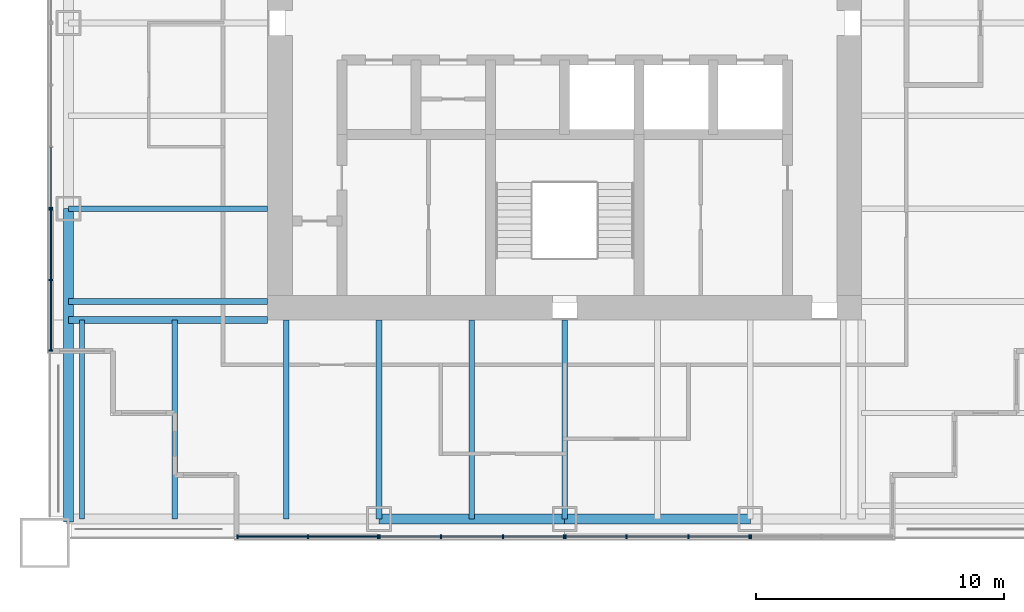
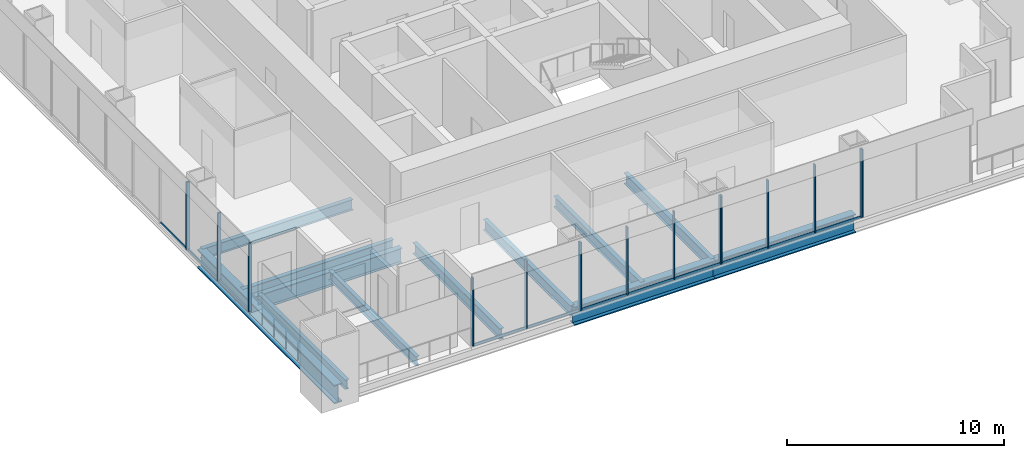
# One storey, part 2 of 14: 27 members, 12 beams, 6 elements without a shape of their own.
"""IFC4 building model written with IfcOpenShell, lengths in metres."""

from ifc_helpers import new_model, si_unit, direction, frame, origin, origin_2d, place, context, subcontext, project, spatial, rectangle, i_section, extrude, material, material_profile, profile_set, type_object, element, aggregate, save


model = new_model("IFC4")

# Units and contexts
model_context = context("Model", 3, precision=1e-05, world=origin(), true_north=direction((0.0, 1.0)))
body_context = subcontext(model_context, "Body", "Model", "MODEL_VIEW")
ifc_project = project(units=[si_unit("LENGTHUNIT", "METRE"), si_unit("AREAUNIT", "SQUARE_METRE"), si_unit("VOLUMEUNIT", "CUBIC_METRE"), si_unit("PLANEANGLEUNIT", "RADIAN"), si_unit("MASSUNIT", "GRAM", prefix="KILO")], contexts=[model_context])

# Site, building, storey
site_placement = place(None, origin())
site = spatial("IfcSite", under=ifc_project, at=site_placement, CompositionType="ELEMENT")
building_placement = place(site_placement, origin())
building = spatial("IfcBuilding", under=site, at=building_placement, Name="Tarangal Relay Tower", CompositionType="ELEMENT")
storey_placement = place(building_placement, frame((0.0, 0.0, 267.89990234375)))
storey = spatial("IfcBuildingStorey", under=building, at=storey_placement, Name="L58", CompositionType="ELEMENT", Elevation=267.89990234375)

# Beams
ifc_material_1 = material(Name="Steel ASTM A992", Category="steel")
ifc_material_profile_1 = material_profile(ifc_material_1, i_section(OverallWidth=0.209228515625, OverallDepth=0.533447265625, WebThickness=0.01025390625, FlangeThickness=0.015625, at=origin_2d()), Name="W21X62")
ifc_profile_set_1 = profile_set([ifc_material_profile_1], Name="Steel ASTM A992")
beam_type_1 = type_object("IfcBeamType", Name="Corner beam W21X62", PredefinedType="JOIST", material=ifc_profile_set_1)
for number, where, z_axis, x_axis, name in (
    (1, (-15.75, -12.0, -0.41650390625), (0.0, -1.0, 0.0), (1.0, 0.0, 0.0), "Corner beam CB12 S L58"),
    (2, (-19.5, -12.0, -0.41650390625), (0.0, -1.0, 0.0), (1.0, 0.0, 0.0), "Corner beam CB12 S L58"),
):
    element("IfcBeam", number, at=place(storey_placement, frame(where, z_axis=z_axis, x_axis=x_axis)), inside=storey, type_object=beam_type_1, Name=name, PredefinedType="JOIST", context=body_context, shape_type="SweptSolid", body=[
        extrude(i_section(OverallWidth=0.209228515625, OverallDepth=0.533447265625, WebThickness=0.01025390625, FlangeThickness=0.015625, at=origin_2d()), origin(), (0.0, 0.0, 1.0), 8.0400390625),
    ])
ifc_material_profile_2 = material_profile(ifc_material_1, i_section(OverallWidth=0.2919921875, OverallDepth=0.8408203125, WebThickness=0.0146484375, FlangeThickness=0.021728515625, at=origin_2d()), Name="W33X130")
ifc_profile_set_2 = profile_set([ifc_material_profile_2], Name="Steel ASTM A992")
beam_type_2 = type_object("IfcBeamType", Name="Corner girder W33X130", PredefinedType="BEAM", material=ifc_profile_set_2)
beam_1_placement = place(storey_placement, frame((-12.0, -12.0, -0.5703125), z_axis=(-1.0, 0.0, 0.0), x_axis=(0.0, -1.0, 0.0)))
element("IfcBeam", 3, at=beam_1_placement, inside=storey, type_object=beam_type_2, Name="Corner girder CG5 S L58", PredefinedType="BEAM", context=body_context, shape_type="SweptSolid", body=[
    extrude(i_section(OverallWidth=0.2919921875, OverallDepth=0.8408203125, WebThickness=0.0146484375, FlangeThickness=0.021728515625, at=origin_2d()), origin(), (0.0, 0.0, 1.0), 8.0400390625),
])
ifc_material_profile_3 = material_profile(ifc_material_1, i_section(OverallWidth=0.41162109375, OverallDepth=1.049072265625, WebThickness=0.033935546875, FlangeThickness=0.059814453125, at=origin_2d()), Name="W40X431")
ifc_profile_set_3 = profile_set([ifc_material_profile_3], Name="Steel ASTM A992")
beam_type_3 = type_object("IfcBeamType", Name="Edge girder W40X431", PredefinedType="SPANDREL", material=ifc_profile_set_3)
for number, where, z_axis, x_axis, name in (
    (4, (7.5, -20.0400390625, -0.67431640625), (-1.0, 0.0, 0.0), (0.0, -1.0, 0.0), "Edge girder EG1 S L58"),
    (5, (0.0, -20.0400390625, -0.67431640625), (-1.0, 0.0, 0.0), (0.0, -1.0, 0.0), "Edge girder EG1 S L58"),
):
    element("IfcBeam", number, at=place(storey_placement, frame(where, z_axis=z_axis, x_axis=x_axis)), inside=storey, type_object=beam_type_3, Name=name, PredefinedType="SPANDREL", context=body_context, shape_type="SweptSolid", body=[
        extrude(i_section(OverallWidth=0.41162109375, OverallDepth=1.049072265625, WebThickness=0.033935546875, FlangeThickness=0.059814453125, at=origin_2d()), origin(), (0.0, 0.0, 1.0), 7.5),
    ])
beam_2_placement = place(storey_placement, frame((-20.0400390625, -20.14990234375, -0.67431640625), z_axis=(0.0, 1.0, 0.0), x_axis=(-1.0, 0.0, 0.0)))
element("IfcBeam", 6, at=beam_2_placement, inside=storey, type_object=beam_type_3, Name="Edge girder EG1 W L58", PredefinedType="SPANDREL", context=body_context, shape_type="SweptSolid", body=[
    extrude(i_section(OverallWidth=0.41162109375, OverallDepth=1.049072265625, WebThickness=0.033935546875, FlangeThickness=0.059814453125, at=origin_2d()), origin(), (0.0, 0.0, 1.0), 12.64990234375),
])
ifc_material_profile_4 = material_profile(ifc_material_1, i_section(OverallWidth=0.228271484375, OverallDepth=0.607177734375, WebThickness=0.01123046875, FlangeThickness=0.017333984375, at=origin_2d()), Name="W24X76")
ifc_profile_set_4 = profile_set([ifc_material_profile_4], Name="Steel ASTM A992")
beam_type_4 = type_object("IfcBeamType", Name="Floor beam W24X76", PredefinedType="BEAM", material=ifc_profile_set_4)
for number, where, z_axis, x_axis, name in (
    (7, (0.0, -12.0, -0.453369140625), (0.0, -1.0, 0.0), (1.0, 0.0, 0.0), "Floor beam RB5 S L58"),
    (8, (-3.75, -12.0, -0.453369140625), (0.0, -1.0, 0.0), (1.0, 0.0, 0.0), "Floor beam RB5 S L58"),
    (9, (-7.5, -12.0, -0.453369140625), (0.0, -1.0, 0.0), (1.0, 0.0, 0.0), "Floor beam RB5 S L58"),
    (10, (-11.25, -12.0, -0.453369140625), (0.0, -1.0, 0.0), (1.0, 0.0, 0.0), "Floor beam RB5 S L58"),
    (11, (-12.0, -11.25, -0.453369140625), (-1.0, 0.0, 0.0), (0.0, -1.0, 0.0), "Floor beam RB5 W L58"),
    (12, (-12.0, -7.5, -0.453369140625), (-1.0, 0.0, 0.0), (0.0, -1.0, 0.0), "Floor beam RB5 W L58"),
):
    element("IfcBeam", number, at=place(storey_placement, frame(where, z_axis=z_axis, x_axis=x_axis)), inside=storey, type_object=beam_type_4, Name=name, PredefinedType="BEAM", context=body_context, shape_type="SweptSolid", body=[
        extrude(i_section(OverallWidth=0.228271484375, OverallDepth=0.607177734375, WebThickness=0.01123046875, FlangeThickness=0.017333984375, at=origin_2d()), origin(), (0.0, 0.0, 1.0), 8.0400390625),
    ])

# Curtain wall, members
ifc_material_2 = material(Name="Unitised curtain wall, dark glass and black aluminium", Category="aluminium")
curtain_wall_type_1 = type_object("IfcCurtainWallType", Name="Curtain wall CW-B", PredefinedType="USERDEFINED", material=ifc_material_2)
curtain_wall_1_placement = place(storey_placement, origin())
curtain_wall_1 = element("IfcCurtainWall", 13, at=curtain_wall_1_placement, inside=storey, type_object=curtain_wall_type_1, Name="Curtain wall CW-B S facade L58", ObjectType="UNITISED CURTAIN WALL", PredefinedType="USERDEFINED")
ifc_material_3 = material(Name="Black anodised aluminium mullion", Category="aluminium")
ifc_material_profile_5 = material_profile(ifc_material_3, rectangle(XDim=0.159912109375, YDim=0.06005859375, at=origin_2d()), Name="CW-BM 60X160")
ifc_profile_set_5 = profile_set([ifc_material_profile_5], Name="Black anodised aluminium mullion")
member_type_1 = type_object("IfcMemberType", Name="Mullion CW-B 60 x 160", PredefinedType="MULLION", material=ifc_profile_set_5)
member_1_placement = place(storey_placement, frame((7.469970703125, -20.75, 0.0), z_axis=(0.0, 0.0, 1.0), x_axis=(0.0, -1.0, 0.0)))
member_1 = element("IfcMember", 14, at=member_1_placement, type_object=member_type_1, Name="CW-B mullion 1", PredefinedType="MULLION", context=body_context, shape_type="SweptSolid", body=[
    extrude(rectangle(XDim=0.159912109375, YDim=0.06005859375, at=origin_2d()), origin(), (0.0, 0.0, 1.0), 3.85009765625),
])
member_2_placement = place(storey_placement, frame((5.0, -20.75, 0.0), z_axis=(0.0, 0.0, 1.0), x_axis=(0.0, -1.0, 0.0)))
member_2 = element("IfcMember", 15, at=member_2_placement, type_object=member_type_1, Name="CW-B mullion 2", PredefinedType="MULLION", context=body_context, shape_type="SweptSolid", body=[
    extrude(rectangle(XDim=0.159912109375, YDim=0.06005859375, at=origin_2d()), origin(), (0.0, 0.0, 1.0), 3.85009765625),
])
member_3_placement = place(storey_placement, frame((2.5, -20.75, 0.0), z_axis=(0.0, 0.0, 1.0), x_axis=(0.0, -1.0, 0.0)))
member_3 = element("IfcMember", 16, at=member_3_placement, type_object=member_type_1, Name="CW-B mullion 3", PredefinedType="MULLION", context=body_context, shape_type="SweptSolid", body=[
    extrude(rectangle(XDim=0.159912109375, YDim=0.06005859375, at=origin_2d()), origin(), (0.0, 0.0, 1.0), 3.85009765625),
])
member_4_placement = place(storey_placement, frame((0.030029296875, -20.75, 0.0), z_axis=(0.0, 0.0, 1.0), x_axis=(0.0, -1.0, 0.0)))
member_4 = element("IfcMember", 17, at=member_4_placement, type_object=member_type_1, Name="CW-B mullion 4", PredefinedType="MULLION", context=body_context, shape_type="SweptSolid", body=[
    extrude(rectangle(XDim=0.159912109375, YDim=0.06005859375, at=origin_2d()), origin(), (0.0, 0.0, 1.0), 3.85009765625),
])

curtain_wall_2_placement = place(storey_placement, origin())
curtain_wall_2 = element("IfcCurtainWall", 18, at=curtain_wall_2_placement, inside=storey, type_object=curtain_wall_type_1, Name="Curtain wall CW-B S facade L58", ObjectType="UNITISED CURTAIN WALL", PredefinedType="USERDEFINED")
member_5_placement = place(storey_placement, frame((-0.030029296875, -20.75, 0.0), z_axis=(0.0, 0.0, 1.0), x_axis=(0.0, -1.0, 0.0)))
member_5 = element("IfcMember", 19, at=member_5_placement, type_object=member_type_1, Name="CW-B mullion 1", PredefinedType="MULLION", context=body_context, shape_type="SweptSolid", body=[
    extrude(rectangle(XDim=0.159912109375, YDim=0.06005859375, at=origin_2d()), origin(), (0.0, 0.0, 1.0), 3.85009765625),
])
member_6_placement = place(storey_placement, frame((-2.5, -20.75, 0.0), z_axis=(0.0, 0.0, 1.0), x_axis=(0.0, -1.0, 0.0)))
member_6 = element("IfcMember", 20, at=member_6_placement, type_object=member_type_1, Name="CW-B mullion 2", PredefinedType="MULLION", context=body_context, shape_type="SweptSolid", body=[
    extrude(rectangle(XDim=0.159912109375, YDim=0.06005859375, at=origin_2d()), origin(), (0.0, 0.0, 1.0), 3.85009765625),
])
member_7_placement = place(storey_placement, frame((-5.0, -20.75, 0.0), z_axis=(0.0, 0.0, 1.0), x_axis=(0.0, -1.0, 0.0)))
member_7 = element("IfcMember", 21, at=member_7_placement, type_object=member_type_1, Name="CW-B mullion 3", PredefinedType="MULLION", context=body_context, shape_type="SweptSolid", body=[
    extrude(rectangle(XDim=0.159912109375, YDim=0.06005859375, at=origin_2d()), origin(), (0.0, 0.0, 1.0), 3.85009765625),
])
member_8_placement = place(storey_placement, frame((-7.469970703125, -20.75, 0.0), z_axis=(0.0, 0.0, 1.0), x_axis=(0.0, -1.0, 0.0)))
member_8 = element("IfcMember", 22, at=member_8_placement, type_object=member_type_1, Name="CW-B mullion 4", PredefinedType="MULLION", context=body_context, shape_type="SweptSolid", body=[
    extrude(rectangle(XDim=0.159912109375, YDim=0.06005859375, at=origin_2d()), origin(), (0.0, 0.0, 1.0), 3.85009765625),
])

# Curtain wall, member
curtain_wall_3_placement = place(storey_placement, origin())
curtain_wall_3 = element("IfcCurtainWall", 23, at=curtain_wall_3_placement, inside=storey, type_object=curtain_wall_type_1, Name="Curtain wall CW-B W facade L58", ObjectType="UNITISED CURTAIN WALL", PredefinedType="USERDEFINED")
member_9_placement = place(storey_placement, frame((-20.75, -7.469970703125, 0.0), z_axis=(0.0, 0.0, 1.0), x_axis=(-1.0, 0.0, 0.0)))
member_9 = element("IfcMember", 24, at=member_9_placement, type_object=member_type_1, Name="CW-B mullion 1", PredefinedType="MULLION", context=body_context, shape_type="SweptSolid", body=[
    extrude(rectangle(XDim=0.159912109375, YDim=0.06005859375, at=origin_2d()), origin(), (0.0, 0.0, 1.0), 3.85009765625),
])

ifc_material_4 = material(Name="Unitised curtain wall frame, black aluminium, with metal clad infill walls", Category="aluminium")
curtain_wall_type_2 = type_object("IfcCurtainWallType", Name="Curtain wall CW-BO", PredefinedType="USERDEFINED", material=ifc_material_4)
curtain_wall_4_placement = place(storey_placement, origin())
curtain_wall_4 = element("IfcCurtainWall", 25, at=curtain_wall_4_placement, inside=storey, type_object=curtain_wall_type_2, Name="Curtain wall CW-BO S facade L58", ObjectType="UNITISED CURTAIN WALL", PredefinedType="USERDEFINED")
ifc_material_profile_6 = material_profile(ifc_material_3, rectangle(XDim=0.159912109375, YDim=0.06005859375, at=origin_2d()), Name="CW-BOM 60X160")
ifc_profile_set_6 = profile_set([ifc_material_profile_6], Name="Black anodised aluminium mullion")
member_type_2 = type_object("IfcMemberType", Name="Mullion CW-BO 60 x 160", PredefinedType="MULLION", material=ifc_profile_set_6)
member_10_placement = place(storey_placement, frame((7.530029296875, -20.75, 0.0), z_axis=(0.0, 0.0, 1.0), x_axis=(0.0, -1.0, 0.0)))
member_10 = element("IfcMember", 26, at=member_10_placement, type_object=member_type_2, Name="CW-BO mullion 3", PredefinedType="MULLION", context=body_context, shape_type="SweptSolid", body=[
    extrude(rectangle(XDim=0.159912109375, YDim=0.06005859375, at=origin_2d()), origin(), (0.0, 0.0, 1.0), 3.85009765625),
])
aggregate(curtain_wall_4, [member_10])

# Curtain wall, members
curtain_wall_5_placement = place(storey_placement, origin())
curtain_wall_5 = element("IfcCurtainWall", 27, at=curtain_wall_5_placement, inside=storey, type_object=curtain_wall_type_2, Name="Curtain wall CW-BO S facade L58", ObjectType="UNITISED CURTAIN WALL", PredefinedType="USERDEFINED")
member_11_placement = place(storey_placement, frame((-7.530029296875, -20.75, 0.0), z_axis=(0.0, 0.0, 1.0), x_axis=(0.0, -1.0, 0.0)))
member_11 = element("IfcMember", 28, at=member_11_placement, type_object=member_type_2, Name="CW-BO mullion 1", PredefinedType="MULLION", context=body_context, shape_type="SweptSolid", body=[
    extrude(rectangle(XDim=0.159912109375, YDim=0.06005859375, at=origin_2d()), origin(), (0.0, 0.0, 1.0), 3.85009765625),
])
member_12_placement = place(storey_placement, frame((-10.375, -20.75, 0.0), z_axis=(0.0, 0.0, 1.0), x_axis=(0.0, -1.0, 0.0)))
member_12 = element("IfcMember", 29, at=member_12_placement, type_object=member_type_2, Name="CW-BO mullion 2", PredefinedType="MULLION", context=body_context, shape_type="SweptSolid", body=[
    extrude(rectangle(XDim=0.159912109375, YDim=0.06005859375, at=origin_2d()), origin(), (0.0, 0.0, 1.0), 3.85009765625),
])
member_13_placement = place(storey_placement, frame((-13.219970703125, -20.75, 0.0), z_axis=(0.0, 0.0, 1.0), x_axis=(0.0, -1.0, 0.0)))
member_13 = element("IfcMember", 30, at=member_13_placement, type_object=member_type_2, Name="CW-BO mullion 3", PredefinedType="MULLION", context=body_context, shape_type="SweptSolid", body=[
    extrude(rectangle(XDim=0.159912109375, YDim=0.06005859375, at=origin_2d()), origin(), (0.0, 0.0, 1.0), 3.85009765625),
])

curtain_wall_6_placement = place(storey_placement, origin())
curtain_wall_6 = element("IfcCurtainWall", 31, at=curtain_wall_6_placement, inside=storey, type_object=curtain_wall_type_2, Name="Curtain wall CW-BO W facade L58", ObjectType="UNITISED CURTAIN WALL", PredefinedType="USERDEFINED")
member_14_placement = place(storey_placement, frame((-20.75, -13.219970703125, 0.0), z_axis=(0.0, 0.0, 1.0), x_axis=(-1.0, 0.0, 0.0)))
member_14 = element("IfcMember", 32, at=member_14_placement, type_object=member_type_2, Name="CW-BO mullion 1", PredefinedType="MULLION", context=body_context, shape_type="SweptSolid", body=[
    extrude(rectangle(XDim=0.159912109375, YDim=0.06005859375, at=origin_2d()), origin(), (0.0, 0.0, 1.0), 3.85009765625),
])
member_15_placement = place(storey_placement, frame((-20.75, -10.375, 0.0), z_axis=(0.0, 0.0, 1.0), x_axis=(-1.0, 0.0, 0.0)))
member_15 = element("IfcMember", 33, at=member_15_placement, type_object=member_type_2, Name="CW-BO mullion 2", PredefinedType="MULLION", context=body_context, shape_type="SweptSolid", body=[
    extrude(rectangle(XDim=0.159912109375, YDim=0.06005859375, at=origin_2d()), origin(), (0.0, 0.0, 1.0), 3.85009765625),
])
member_16_placement = place(storey_placement, frame((-20.75, -7.530029296875, 0.0), z_axis=(0.0, 0.0, 1.0), x_axis=(-1.0, 0.0, 0.0)))
member_16 = element("IfcMember", 34, at=member_16_placement, type_object=member_type_2, Name="CW-BO mullion 3", PredefinedType="MULLION", context=body_context, shape_type="SweptSolid", body=[
    extrude(rectangle(XDim=0.159912109375, YDim=0.06005859375, at=origin_2d()), origin(), (0.0, 0.0, 1.0), 3.85009765625),
])

# Member
ifc_material_5 = material(Name="Black anodised aluminium transom", Category="aluminium")
ifc_material_profile_7 = material_profile(ifc_material_5, rectangle(XDim=0.06005859375, YDim=0.1298828125, at=origin_2d()), Name="CW-BT 60X130")
ifc_profile_set_7 = profile_set([ifc_material_profile_7], Name="Black anodised aluminium transom")
member_type_3 = type_object("IfcMemberType", Name="Transom CW-B 60 x 130", PredefinedType="USERDEFINED", material=ifc_profile_set_7)
member_17_placement = place(storey_placement, frame((7.43994140625, -20.75, 0.030029296875), z_axis=(-1.0, 0.0, 0.0), x_axis=(0.0, -1.0, 0.0)))
member_17 = element("IfcMember", 35, at=member_17_placement, type_object=member_type_3, Name="CW-B transom 1.1", ObjectType="TRANSOM", PredefinedType="USERDEFINED", context=body_context, shape_type="SweptSolid", body=[
    extrude(rectangle(XDim=0.06005859375, YDim=0.1298828125, at=origin_2d()), origin(), (0.0, 0.0, 1.0), 2.409912109375),
])

member_18_placement = place(storey_placement, frame((4.969970703125, -20.75, 0.030029296875), z_axis=(-1.0, 0.0, 0.0), x_axis=(0.0, -1.0, 0.0)))
member_18 = element("IfcMember", 36, at=member_18_placement, type_object=member_type_3, Name="CW-B transom 2.1", ObjectType="TRANSOM", PredefinedType="USERDEFINED", context=body_context, shape_type="SweptSolid", body=[
    extrude(rectangle(XDim=0.06005859375, YDim=0.1298828125, at=origin_2d()), origin(), (0.0, 0.0, 1.0), 2.43994140625),
])

member_19_placement = place(storey_placement, frame((2.469970703125, -20.75, 0.030029296875), z_axis=(-1.0, 0.0, 0.0), x_axis=(0.0, -1.0, 0.0)))
member_19 = element("IfcMember", 37, at=member_19_placement, type_object=member_type_3, Name="CW-B transom 3.1", ObjectType="TRANSOM", PredefinedType="USERDEFINED", context=body_context, shape_type="SweptSolid", body=[
    extrude(rectangle(XDim=0.06005859375, YDim=0.1298828125, at=origin_2d()), origin(), (0.0, 0.0, 1.0), 2.409912109375),
])

aggregate(curtain_wall_1, [member_1, member_2, member_3, member_4, member_17, member_18, member_19])

member_20_placement = place(storey_placement, frame((-0.06005859375, -20.75, 0.030029296875), z_axis=(-1.0, 0.0, 0.0), x_axis=(0.0, -1.0, 0.0)))
member_20 = element("IfcMember", 38, at=member_20_placement, type_object=member_type_3, Name="CW-B transom 1.1", ObjectType="TRANSOM", PredefinedType="USERDEFINED", context=body_context, shape_type="SweptSolid", body=[
    extrude(rectangle(XDim=0.06005859375, YDim=0.1298828125, at=origin_2d()), origin(), (0.0, 0.0, 1.0), 2.409912109375),
])

member_21_placement = place(storey_placement, frame((-2.530029296875, -20.75, 0.030029296875), z_axis=(-1.0, 0.0, 0.0), x_axis=(0.0, -1.0, 0.0)))
member_21 = element("IfcMember", 39, at=member_21_placement, type_object=member_type_3, Name="CW-B transom 2.1", ObjectType="TRANSOM", PredefinedType="USERDEFINED", context=body_context, shape_type="SweptSolid", body=[
    extrude(rectangle(XDim=0.06005859375, YDim=0.1298828125, at=origin_2d()), origin(), (0.0, 0.0, 1.0), 2.43994140625),
])

member_22_placement = place(storey_placement, frame((-5.030029296875, -20.75, 0.030029296875), z_axis=(-1.0, 0.0, 0.0), x_axis=(0.0, -1.0, 0.0)))
member_22 = element("IfcMember", 40, at=member_22_placement, type_object=member_type_3, Name="CW-B transom 3.1", ObjectType="TRANSOM", PredefinedType="USERDEFINED", context=body_context, shape_type="SweptSolid", body=[
    extrude(rectangle(XDim=0.06005859375, YDim=0.1298828125, at=origin_2d()), origin(), (0.0, 0.0, 1.0), 2.409912109375),
])

aggregate(curtain_wall_2, [member_5, member_6, member_7, member_8, member_20, member_21, member_22])

member_23_placement = place(storey_placement, frame((-20.75, -7.43994140625, 0.030029296875), z_axis=(0.0, 1.0, 0.0), x_axis=(-1.0, 0.0, 0.0)))
member_23 = element("IfcMember", 41, at=member_23_placement, type_object=member_type_3, Name="CW-B transom 1.1", ObjectType="TRANSOM", PredefinedType="USERDEFINED", context=body_context, shape_type="SweptSolid", body=[
    extrude(rectangle(XDim=0.06005859375, YDim=0.1298828125, at=origin_2d()), origin(), (0.0, 0.0, 1.0), 2.409912109375),
])

aggregate(curtain_wall_3, [member_9, member_23])

ifc_material_profile_8 = material_profile(ifc_material_5, rectangle(XDim=0.06005859375, YDim=0.1298828125, at=origin_2d()), Name="CW-BOT 60X130")
ifc_profile_set_8 = profile_set([ifc_material_profile_8], Name="Black anodised aluminium transom")
member_type_4 = type_object("IfcMemberType", Name="Transom CW-BO 60 x 130", PredefinedType="USERDEFINED", material=ifc_profile_set_8)
member_24_placement = place(storey_placement, frame((-7.56005859375, -20.75, 0.030029296875), z_axis=(-1.0, 0.0, 0.0), x_axis=(0.0, -1.0, 0.0)))
member_24 = element("IfcMember", 42, at=member_24_placement, type_object=member_type_4, Name="CW-BO transom 1.1", ObjectType="TRANSOM", PredefinedType="USERDEFINED", context=body_context, shape_type="SweptSolid", body=[
    extrude(rectangle(XDim=0.06005859375, YDim=0.1298828125, at=origin_2d()), origin(), (0.0, 0.0, 1.0), 2.784912109375),
])

member_25_placement = place(storey_placement, frame((-10.405029296875, -20.75, 0.030029296875), z_axis=(-1.0, 0.0, 0.0), x_axis=(0.0, -1.0, 0.0)))
member_25 = element("IfcMember", 43, at=member_25_placement, type_object=member_type_4, Name="CW-BO transom 2.1", ObjectType="TRANSOM", PredefinedType="USERDEFINED", context=body_context, shape_type="SweptSolid", body=[
    extrude(rectangle(XDim=0.06005859375, YDim=0.1298828125, at=origin_2d()), origin(), (0.0, 0.0, 1.0), 2.784912109375),
])

aggregate(curtain_wall_5, [member_11, member_12, member_13, member_24, member_25])

member_26_placement = place(storey_placement, frame((-20.75, -13.18994140625, 0.030029296875), z_axis=(0.0, 1.0, 0.0), x_axis=(-1.0, 0.0, 0.0)))
member_26 = element("IfcMember", 44, at=member_26_placement, type_object=member_type_4, Name="CW-BO transom 1.1", ObjectType="TRANSOM", PredefinedType="USERDEFINED", context=body_context, shape_type="SweptSolid", body=[
    extrude(rectangle(XDim=0.06005859375, YDim=0.1298828125, at=origin_2d()), origin(), (0.0, 0.0, 1.0), 2.784912109375),
])

member_27_placement = place(storey_placement, frame((-20.75, -10.344970703125, 0.030029296875), z_axis=(0.0, 1.0, 0.0), x_axis=(-1.0, 0.0, 0.0)))
member_27 = element("IfcMember", 45, at=member_27_placement, type_object=member_type_4, Name="CW-BO transom 2.1", ObjectType="TRANSOM", PredefinedType="USERDEFINED", context=body_context, shape_type="SweptSolid", body=[
    extrude(rectangle(XDim=0.06005859375, YDim=0.1298828125, at=origin_2d()), origin(), (0.0, 0.0, 1.0), 2.784912109375),
])

aggregate(curtain_wall_6, [member_14, member_15, member_16, member_26, member_27])

save(model, "model.ifc")
